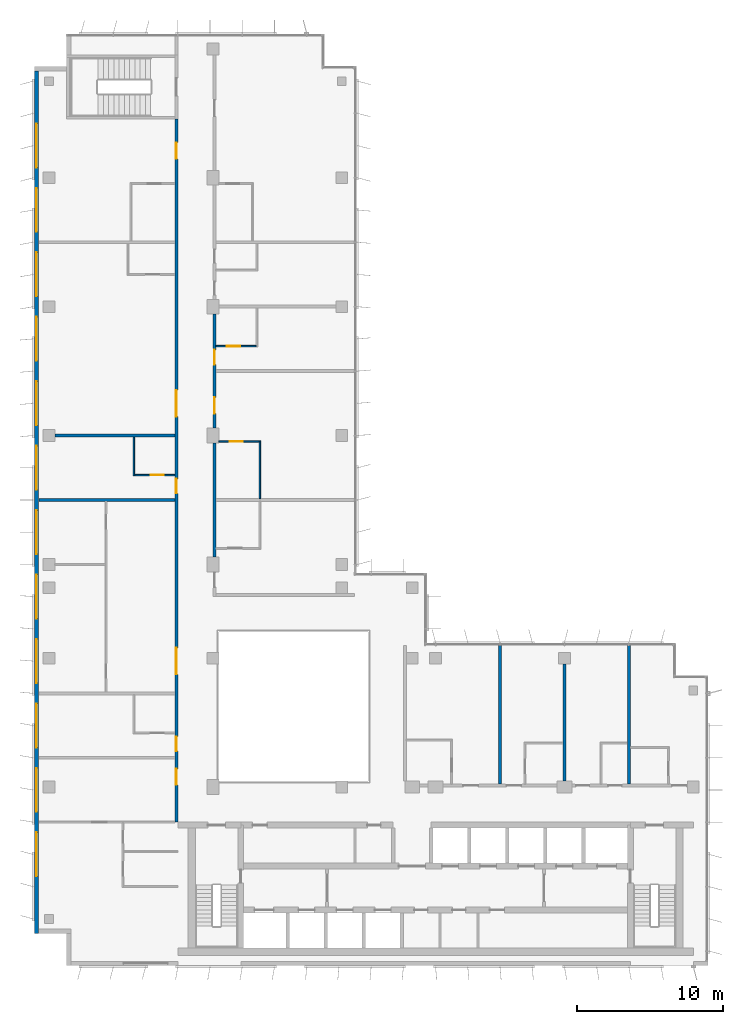
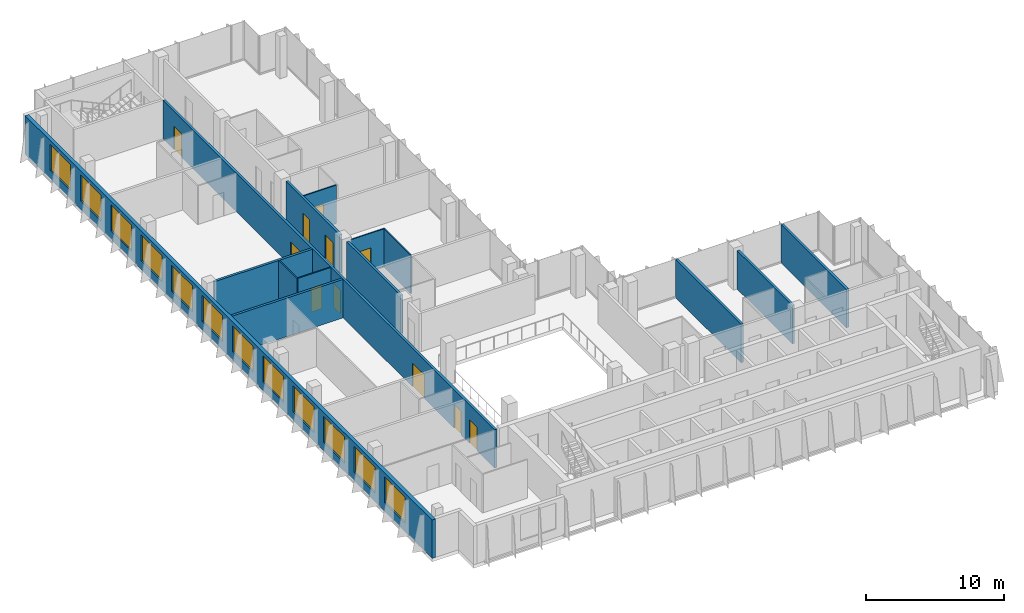
# One storey, part 11 of 15: 14 walls, 12 windows, 11 doors, 23 openings.
"""IFC4 building model written with IfcOpenShell, lengths in metres."""

from ifc_helpers import new_model, si_unit, direction, frame, frame_2d, origin, place, context, subcontext, project, spatial, rectangle, extrude, material, layer, layer_set, type_object, element, fill, save


model = new_model("IFC4")

# Units and contexts
model_context = context("Model", 3, precision=1e-05, world=origin(), true_north=direction((0.0, 1.0)))
body_context = subcontext(model_context, "Body", "Model", "MODEL_VIEW")
ifc_project = project(units=[si_unit("LENGTHUNIT", "METRE"), si_unit("AREAUNIT", "SQUARE_METRE"), si_unit("VOLUMEUNIT", "CUBIC_METRE"), si_unit("PLANEANGLEUNIT", "RADIAN"), si_unit("MASSUNIT", "GRAM", prefix="KILO")], contexts=[model_context])

# Site, building, storey
site_placement = place(None, origin())
site = spatial("IfcSite", under=ifc_project, at=site_placement, CompositionType="ELEMENT")
building_placement = place(site_placement, origin())
building = spatial("IfcBuilding", under=site, at=building_placement, Name="Kemantara Hotel Tower", CompositionType="ELEMENT")
storey_placement = place(building_placement, frame((0.0, 0.0, 279.60009765625)))
storey = spatial("IfcBuildingStorey", under=building, at=storey_placement, Name="L70", CompositionType="ELEMENT", Elevation=279.60009765625)

# Wall, openings, windows
ifc_material_1 = material(Name="Bronze anodised aluminium cladding on insulated steel stud wall", Category="steel")
ifc_layer_1 = layer(ifc_material_1, 0.300048828125)
ifc_layer_set_1 = layer_set([ifc_layer_1], Name="Bronze anodised aluminium cladding on insulated steel stud wall")
wall_type_1 = type_object("IfcWallType", Name="BRONZE METAL-CLAD EXTERNAL WALL 300", PredefinedType="STANDARD", material=ifc_layer_set_1)
wall_1_placement = place(storey_placement, frame((0.14990234375, 61.10009765625, 0.0), z_axis=(0.0, 0.0, 1.0), x_axis=(0.0, -1.0, 0.0)))
wall_1 = element("IfcWall", 1, at=wall_1_placement, inside=storey, type_object=wall_type_1, Name="EXTERNAL WALL L70 T4-R05", PredefinedType="STANDARD", context=body_context, shape_type="SweptSolid", body=[
    extrude(rectangle(XDim=58.900146484375, YDim=0.300048828125, at=frame_2d((29.4501953125, 0.0))), origin(), (0.0, 0.0, 1.0), 3.39990234375),
])
opening_1_placement = place(wall_1_placement, frame((3.60009765625, 0.0, 0.75)))
opening_1 = element("IfcOpeningElement", 2, at=opening_1_placement, cuts=wall_1, Name="Opening W1", PredefinedType="OPENING", context=body_context, shape_type="SweptSolid", body=[
    extrude(rectangle(XDim=3.0, YDim=2.300048828125, at=frame_2d((1.5, 1.14990234375))), frame((0.0, 0.159912109375, 0.0), z_axis=(0.0, -1.0, 0.0), x_axis=(1.0, 0.0, 0.0)), (0.0, 0.0, 1.0), 0.320068359375),
])
opening_2_placement = place(wall_1_placement, frame((8.0, 0.0, 0.75)))
opening_2 = element("IfcOpeningElement", 3, at=opening_2_placement, cuts=wall_1, Name="Opening W1", PredefinedType="OPENING", context=body_context, shape_type="SweptSolid", body=[
    extrude(rectangle(XDim=3.0, YDim=2.300048828125, at=frame_2d((1.5, 1.14990234375))), frame((0.0, 0.159912109375, 0.0), z_axis=(0.0, -1.0, 0.0), x_axis=(1.0, 0.0, 0.0)), (0.0, 0.0, 1.0), 0.320068359375),
])
opening_3_placement = place(wall_1_placement, frame((12.39990234375, 0.0, 0.75)))
opening_3 = element("IfcOpeningElement", 4, at=opening_3_placement, cuts=wall_1, Name="Opening W1", PredefinedType="OPENING", context=body_context, shape_type="SweptSolid", body=[
    extrude(rectangle(XDim=3.0, YDim=2.300048828125, at=frame_2d((1.5, 1.14990234375))), frame((0.0, 0.159912109375, 0.0), z_axis=(0.0, -1.0, 0.0), x_axis=(1.0, 0.0, 0.0)), (0.0, 0.0, 1.0), 0.320068359375),
])
opening_4_placement = place(wall_1_placement, frame((16.800048828125, 0.0, 0.75)))
opening_4 = element("IfcOpeningElement", 5, at=opening_4_placement, cuts=wall_1, Name="Opening W1", PredefinedType="OPENING", context=body_context, shape_type="SweptSolid", body=[
    extrude(rectangle(XDim=3.0, YDim=2.300048828125, at=frame_2d((1.5, 1.14990234375))), frame((0.0, 0.159912109375, 0.0), z_axis=(0.0, -1.0, 0.0), x_axis=(1.0, 0.0, 0.0)), (0.0, 0.0, 1.0), 0.320068359375),
])
opening_5_placement = place(wall_1_placement, frame((21.199951171875, 0.0, 0.75)))
opening_5 = element("IfcOpeningElement", 6, at=opening_5_placement, cuts=wall_1, Name="Opening W1", PredefinedType="OPENING", context=body_context, shape_type="SweptSolid", body=[
    extrude(rectangle(XDim=3.0, YDim=2.300048828125, at=frame_2d((1.5, 1.14990234375))), frame((0.0, 0.159912109375, 0.0), z_axis=(0.0, -1.0, 0.0), x_axis=(1.0, 0.0, 0.0)), (0.0, 0.0, 1.0), 0.320068359375),
])
opening_6_placement = place(wall_1_placement, frame((25.60009765625, 0.0, 0.75)))
opening_6 = element("IfcOpeningElement", 7, at=opening_6_placement, cuts=wall_1, Name="Opening W1", PredefinedType="OPENING", context=body_context, shape_type="SweptSolid", body=[
    extrude(rectangle(XDim=3.0, YDim=2.300048828125, at=frame_2d((1.5, 1.14990234375))), frame((0.0, 0.159912109375, 0.0), z_axis=(0.0, -1.0, 0.0), x_axis=(1.0, 0.0, 0.0)), (0.0, 0.0, 1.0), 0.320068359375),
])
opening_7_placement = place(wall_1_placement, frame((30.0, 0.0, 0.75)))
opening_7 = element("IfcOpeningElement", 8, at=opening_7_placement, cuts=wall_1, Name="Opening W1", PredefinedType="OPENING", context=body_context, shape_type="SweptSolid", body=[
    extrude(rectangle(XDim=3.0, YDim=2.300048828125, at=frame_2d((1.5, 1.14990234375))), frame((0.0, 0.159912109375, 0.0), z_axis=(0.0, -1.0, 0.0), x_axis=(1.0, 0.0, 0.0)), (0.0, 0.0, 1.0), 0.320068359375),
])
opening_8_placement = place(wall_1_placement, frame((34.39990234375, 0.0, 0.75)))
opening_8 = element("IfcOpeningElement", 9, at=opening_8_placement, cuts=wall_1, Name="Opening W1", PredefinedType="OPENING", context=body_context, shape_type="SweptSolid", body=[
    extrude(rectangle(XDim=3.0, YDim=2.300048828125, at=frame_2d((1.5, 1.14990234375))), frame((0.0, 0.159912109375, 0.0), z_axis=(0.0, -1.0, 0.0), x_axis=(1.0, 0.0, 0.0)), (0.0, 0.0, 1.0), 0.320068359375),
])
opening_9_placement = place(wall_1_placement, frame((38.800048828125, 0.0, 0.75)))
opening_9 = element("IfcOpeningElement", 10, at=opening_9_placement, cuts=wall_1, Name="Opening W1", PredefinedType="OPENING", context=body_context, shape_type="SweptSolid", body=[
    extrude(rectangle(XDim=3.0, YDim=2.300048828125, at=frame_2d((1.5, 1.14990234375))), frame((0.0, 0.159912109375, 0.0), z_axis=(0.0, -1.0, 0.0), x_axis=(1.0, 0.0, 0.0)), (0.0, 0.0, 1.0), 0.320068359375),
])
opening_10_placement = place(wall_1_placement, frame((43.199951171875, 0.0, 0.75)))
opening_10 = element("IfcOpeningElement", 11, at=opening_10_placement, cuts=wall_1, Name="Opening W1", PredefinedType="OPENING", context=body_context, shape_type="SweptSolid", body=[
    extrude(rectangle(XDim=3.0, YDim=2.300048828125, at=frame_2d((1.5, 1.14990234375))), frame((0.0, 0.159912109375, 0.0), z_axis=(0.0, -1.0, 0.0), x_axis=(1.0, 0.0, 0.0)), (0.0, 0.0, 1.0), 0.320068359375),
])
opening_11_placement = place(wall_1_placement, frame((47.60009765625, 0.0, 0.75)))
opening_11 = element("IfcOpeningElement", 12, at=opening_11_placement, cuts=wall_1, Name="Opening W1", PredefinedType="OPENING", context=body_context, shape_type="SweptSolid", body=[
    extrude(rectangle(XDim=3.0, YDim=2.300048828125, at=frame_2d((1.5, 1.14990234375))), frame((0.0, 0.159912109375, 0.0), z_axis=(0.0, -1.0, 0.0), x_axis=(1.0, 0.0, 0.0)), (0.0, 0.0, 1.0), 0.320068359375),
])
opening_12_placement = place(wall_1_placement, frame((52.0, 0.0, 0.75)))
opening_12 = element("IfcOpeningElement", 13, at=opening_12_placement, cuts=wall_1, Name="Opening W1", PredefinedType="OPENING", context=body_context, shape_type="SweptSolid", body=[
    extrude(rectangle(XDim=3.0, YDim=2.300048828125, at=frame_2d((1.5, 1.14990234375))), frame((0.0, 0.159912109375, 0.0), z_axis=(0.0, -1.0, 0.0), x_axis=(1.0, 0.0, 0.0)), (0.0, 0.0, 1.0), 0.320068359375),
])
ifc_material_2 = material(Name="Low-E tinted double insulated glass in bronze anodised aluminium frame", Category="aluminium")
window_type = type_object("IfcWindowType", Name="CHICAGO WINDOW, TRIPLE PANEL 3000x2300", PartitioningType="TRIPLE_PANEL_VERTICAL", PredefinedType="WINDOW", material=ifc_material_2)
window_1_placement = place(opening_1_placement, origin())
window_1 = element("IfcWindow", 14, at=window_1_placement, inside=storey, type_object=window_type, Name="CHICAGO WINDOW L70 T4-R05-54", OverallHeight=2.300048828125, OverallWidth=3.0, PartitioningType="SINGLE_PANEL", PredefinedType="WINDOW", context=body_context, shape_type="SweptSolid", body=[
    extrude(rectangle(XDim=3.0, YDim=2.300048828125, at=frame_2d((1.5, 1.14990234375))), frame((0.0, 0.030029296875, 0.0), z_axis=(0.0, -1.0, 0.0), x_axis=(1.0, 0.0, 0.0)), (0.0, 0.0, 1.0), 0.06005859375),
])
fill(opening_1, window_1)
window_2_placement = place(opening_2_placement, origin())
window_2 = element("IfcWindow", 15, at=window_2_placement, inside=storey, type_object=window_type, Name="CHICAGO WINDOW L70 T4-R05-98", OverallHeight=2.300048828125, OverallWidth=3.0, PartitioningType="SINGLE_PANEL", PredefinedType="WINDOW", context=body_context, shape_type="SweptSolid", body=[
    extrude(rectangle(XDim=3.0, YDim=2.300048828125, at=frame_2d((1.5, 1.14990234375))), frame((0.0, 0.030029296875, 0.0), z_axis=(0.0, -1.0, 0.0), x_axis=(1.0, 0.0, 0.0)), (0.0, 0.0, 1.0), 0.06005859375),
])
fill(opening_2, window_2)
window_3_placement = place(opening_3_placement, origin())
window_3 = element("IfcWindow", 16, at=window_3_placement, inside=storey, type_object=window_type, Name="CHICAGO WINDOW L70 T4-R05-142", OverallHeight=2.300048828125, OverallWidth=3.0, PartitioningType="SINGLE_PANEL", PredefinedType="WINDOW", context=body_context, shape_type="SweptSolid", body=[
    extrude(rectangle(XDim=3.0, YDim=2.300048828125, at=frame_2d((1.5, 1.14990234375))), frame((0.0, 0.030029296875, 0.0), z_axis=(0.0, -1.0, 0.0), x_axis=(1.0, 0.0, 0.0)), (0.0, 0.0, 1.0), 0.06005859375),
])
fill(opening_3, window_3)
window_4_placement = place(opening_4_placement, origin())
window_4 = element("IfcWindow", 17, at=window_4_placement, inside=storey, type_object=window_type, Name="CHICAGO WINDOW L70 T4-R05-186", OverallHeight=2.300048828125, OverallWidth=3.0, PartitioningType="SINGLE_PANEL", PredefinedType="WINDOW", context=body_context, shape_type="SweptSolid", body=[
    extrude(rectangle(XDim=3.0, YDim=2.300048828125, at=frame_2d((1.5, 1.14990234375))), frame((0.0, 0.030029296875, 0.0), z_axis=(0.0, -1.0, 0.0), x_axis=(1.0, 0.0, 0.0)), (0.0, 0.0, 1.0), 0.06005859375),
])
fill(opening_4, window_4)
window_5_placement = place(opening_5_placement, origin())
window_5 = element("IfcWindow", 18, at=window_5_placement, inside=storey, type_object=window_type, Name="CHICAGO WINDOW L70 T4-R05-230", OverallHeight=2.300048828125, OverallWidth=3.0, PartitioningType="SINGLE_PANEL", PredefinedType="WINDOW", context=body_context, shape_type="SweptSolid", body=[
    extrude(rectangle(XDim=3.0, YDim=2.300048828125, at=frame_2d((1.5, 1.14990234375))), frame((0.0, 0.030029296875, 0.0), z_axis=(0.0, -1.0, 0.0), x_axis=(1.0, 0.0, 0.0)), (0.0, 0.0, 1.0), 0.06005859375),
])
fill(opening_5, window_5)
window_6_placement = place(opening_6_placement, origin())
window_6 = element("IfcWindow", 19, at=window_6_placement, inside=storey, type_object=window_type, Name="CHICAGO WINDOW L70 T4-R05-274", OverallHeight=2.300048828125, OverallWidth=3.0, PartitioningType="SINGLE_PANEL", PredefinedType="WINDOW", context=body_context, shape_type="SweptSolid", body=[
    extrude(rectangle(XDim=3.0, YDim=2.300048828125, at=frame_2d((1.5, 1.14990234375))), frame((0.0, 0.030029296875, 0.0), z_axis=(0.0, -1.0, 0.0), x_axis=(1.0, 0.0, 0.0)), (0.0, 0.0, 1.0), 0.06005859375),
])
fill(opening_6, window_6)
window_7_placement = place(opening_7_placement, origin())
window_7 = element("IfcWindow", 20, at=window_7_placement, inside=storey, type_object=window_type, Name="CHICAGO WINDOW L70 T4-R05-318", OverallHeight=2.300048828125, OverallWidth=3.0, PartitioningType="SINGLE_PANEL", PredefinedType="WINDOW", context=body_context, shape_type="SweptSolid", body=[
    extrude(rectangle(XDim=3.0, YDim=2.300048828125, at=frame_2d((1.5, 1.14990234375))), frame((0.0, 0.030029296875, 0.0), z_axis=(0.0, -1.0, 0.0), x_axis=(1.0, 0.0, 0.0)), (0.0, 0.0, 1.0), 0.06005859375),
])
fill(opening_7, window_7)
window_8_placement = place(opening_8_placement, origin())
window_8 = element("IfcWindow", 21, at=window_8_placement, inside=storey, type_object=window_type, Name="CHICAGO WINDOW L70 T4-R05-362", OverallHeight=2.300048828125, OverallWidth=3.0, PartitioningType="SINGLE_PANEL", PredefinedType="WINDOW", context=body_context, shape_type="SweptSolid", body=[
    extrude(rectangle(XDim=3.0, YDim=2.300048828125, at=frame_2d((1.5, 1.14990234375))), frame((0.0, 0.030029296875, 0.0), z_axis=(0.0, -1.0, 0.0), x_axis=(1.0, 0.0, 0.0)), (0.0, 0.0, 1.0), 0.06005859375),
])
fill(opening_8, window_8)
window_9_placement = place(opening_9_placement, origin())
window_9 = element("IfcWindow", 22, at=window_9_placement, inside=storey, type_object=window_type, Name="CHICAGO WINDOW L70 T4-R05-406", OverallHeight=2.300048828125, OverallWidth=3.0, PartitioningType="SINGLE_PANEL", PredefinedType="WINDOW", context=body_context, shape_type="SweptSolid", body=[
    extrude(rectangle(XDim=3.0, YDim=2.300048828125, at=frame_2d((1.5, 1.14990234375))), frame((0.0, 0.030029296875, 0.0), z_axis=(0.0, -1.0, 0.0), x_axis=(1.0, 0.0, 0.0)), (0.0, 0.0, 1.0), 0.06005859375),
])
fill(opening_9, window_9)
window_10_placement = place(opening_10_placement, origin())
window_10 = element("IfcWindow", 23, at=window_10_placement, inside=storey, type_object=window_type, Name="CHICAGO WINDOW L70 T4-R05-450", OverallHeight=2.300048828125, OverallWidth=3.0, PartitioningType="SINGLE_PANEL", PredefinedType="WINDOW", context=body_context, shape_type="SweptSolid", body=[
    extrude(rectangle(XDim=3.0, YDim=2.300048828125, at=frame_2d((1.5, 1.14990234375))), frame((0.0, 0.030029296875, 0.0), z_axis=(0.0, -1.0, 0.0), x_axis=(1.0, 0.0, 0.0)), (0.0, 0.0, 1.0), 0.06005859375),
])
fill(opening_10, window_10)
window_11_placement = place(opening_11_placement, origin())
window_11 = element("IfcWindow", 24, at=window_11_placement, inside=storey, type_object=window_type, Name="CHICAGO WINDOW L70 T4-R05-494", OverallHeight=2.300048828125, OverallWidth=3.0, PartitioningType="SINGLE_PANEL", PredefinedType="WINDOW", context=body_context, shape_type="SweptSolid", body=[
    extrude(rectangle(XDim=3.0, YDim=2.300048828125, at=frame_2d((1.5, 1.14990234375))), frame((0.0, 0.030029296875, 0.0), z_axis=(0.0, -1.0, 0.0), x_axis=(1.0, 0.0, 0.0)), (0.0, 0.0, 1.0), 0.06005859375),
])
fill(opening_11, window_11)
window_12_placement = place(opening_12_placement, origin())
window_12 = element("IfcWindow", 25, at=window_12_placement, inside=storey, type_object=window_type, Name="CHICAGO WINDOW L70 T4-R05-538", OverallHeight=2.300048828125, OverallWidth=3.0, PartitioningType="SINGLE_PANEL", PredefinedType="WINDOW", context=body_context, shape_type="SweptSolid", body=[
    extrude(rectangle(XDim=3.0, YDim=2.300048828125, at=frame_2d((1.5, 1.14990234375))), frame((0.0, 0.030029296875, 0.0), z_axis=(0.0, -1.0, 0.0), x_axis=(1.0, 0.0, 0.0)), (0.0, 0.0, 1.0), 0.06005859375),
])
fill(opening_12, window_12)

# Wall, openings, doors
ifc_material_3 = material(Name="Gypsum board partition, steel studs and mineral wool, 200 mm", Category="steel")
ifc_layer_2 = layer(ifc_material_3, 0.199951171875)
ifc_layer_set_2 = layer_set([ifc_layer_2], Name="Gypsum board partition, steel studs and mineral wool, 200 mm")
wall_type_2 = type_object("IfcWallType", Name="CORRIDOR WALL 200", PredefinedType="PARTITIONING", material=ifc_layer_set_2)
wall_2_placement = place(storey_placement, frame((9.699951171875, 9.800048828125, 0.0), z_axis=(0.0, 0.0, 1.0), x_axis=(0.0, 1.0, 0.0)))
wall_2 = element("IfcWall", 26, at=wall_2_placement, inside=storey, type_object=wall_type_2, Name="CORRIDOR WALL 200 008", PredefinedType="PARTITIONING", context=body_context, shape_type="SweptSolid", body=[
    extrude(rectangle(XDim=48.0, YDim=0.199951171875, at=frame_2d((24.0, 0.0))), origin(), (0.0, 0.0, 1.0), 3.39990234375),
])
opening_13_placement = place(wall_2_placement, frame((2.550048828125, 0.0, 0.0)))
opening_13 = element("IfcOpeningElement", 27, at=opening_13_placement, cuts=wall_2, Name="Opening F34-009", PredefinedType="OPENING", context=body_context, shape_type="SweptSolid", body=[
    extrude(rectangle(XDim=1.10009765625, YDim=2.10009765625, at=frame_2d((0.550048828125, 1.050048828125))), frame((0.0, 0.10986328125, 0.0), z_axis=(0.0, -1.0, 0.0), x_axis=(1.0, 0.0, 0.0)), (0.0, 0.0, 1.0), 0.219970703125),
])
opening_14_placement = place(wall_2_placement, frame((4.85009765625, 0.0, 0.0)))
opening_14 = element("IfcOpeningElement", 28, at=opening_14_placement, cuts=wall_2, Name="Opening F34-013", PredefinedType="OPENING", context=body_context, shape_type="SweptSolid", body=[
    extrude(rectangle(XDim=1.0, YDim=2.10009765625, at=frame_2d((0.5, 1.050048828125))), frame((0.0, 0.10986328125, 0.0), z_axis=(0.0, -1.0, 0.0), x_axis=(1.0, 0.0, 0.0)), (0.0, 0.0, 1.0), 0.219970703125),
])
opening_15_placement = place(wall_2_placement, frame((10.10009765625, 0.0, 0.0)))
opening_15 = element("IfcOpeningElement", 29, at=opening_15_placement, cuts=wall_2, Name="Opening F34-015", PredefinedType="OPENING", context=body_context, shape_type="SweptSolid", body=[
    extrude(rectangle(XDim=1.800048828125, YDim=2.10009765625, at=frame_2d((0.89990234375, 1.050048828125))), frame((0.0, 0.10986328125, 0.0), z_axis=(0.0, -1.0, 0.0), x_axis=(1.0, 0.0, 0.0)), (0.0, 0.0, 1.0), 0.219970703125),
])
opening_16_placement = place(wall_2_placement, frame((22.449951171875, 0.0, 0.0)))
opening_16 = element("IfcOpeningElement", 30, at=opening_16_placement, cuts=wall_2, Name="Opening F34-018", PredefinedType="OPENING", context=body_context, shape_type="SweptSolid", body=[
    extrude(rectangle(XDim=1.0, YDim=2.10009765625, at=frame_2d((0.5, 1.050048828125))), frame((0.0, 0.10986328125, 0.0), z_axis=(0.0, -1.0, 0.0), x_axis=(1.0, 0.0, 0.0)), (0.0, 0.0, 1.0), 0.219970703125),
])
opening_17_placement = place(wall_2_placement, frame((27.699951171875, 0.0, 0.0)))
opening_17 = element("IfcOpeningElement", 31, at=opening_17_placement, cuts=wall_2, Name="Opening F34-020", PredefinedType="OPENING", context=body_context, shape_type="SweptSolid", body=[
    extrude(rectangle(XDim=1.800048828125, YDim=2.10009765625, at=frame_2d((0.89990234375, 1.050048828125))), frame((0.0, 0.10986328125, 0.0), z_axis=(0.0, -1.0, 0.0), x_axis=(1.0, 0.0, 0.0)), (0.0, 0.0, 1.0), 0.219970703125),
])
opening_18_placement = place(wall_2_placement, frame((45.300048828125, 0.0, 0.0)))
opening_18 = element("IfcOpeningElement", 32, at=opening_18_placement, cuts=wall_2, Name="Opening F34-022", PredefinedType="OPENING", context=body_context, shape_type="SweptSolid", body=[
    extrude(rectangle(XDim=1.10009765625, YDim=2.10009765625, at=frame_2d((0.550048828125, 1.050048828125))), frame((0.0, 0.10986328125, 0.0), z_axis=(0.0, -1.0, 0.0), x_axis=(1.0, 0.0, 0.0)), (0.0, 0.0, 1.0), 0.219970703125),
])
ifc_material_4 = material(Name="Hardwood veneer door leaf with steel frame", Category="steel")
door_type_1 = type_object("IfcDoorType", Name="AMENITY ROOM DOOR 1800 X 2100 FD30S", OperationType="NOTDEFINED", PredefinedType="DOOR", material=ifc_material_4)
door_1_placement = place(opening_15_placement, origin())
door_1 = element("IfcDoor", 33, at=door_1_placement, inside=storey, type_object=door_type_1, Name="AMENITY ROOM DOOR F34-015", OperationType="DOUBLE_DOOR_SINGLE_SWING", OverallHeight=2.10009765625, OverallWidth=1.800048828125, PredefinedType="DOOR", context=body_context, shape_type="SweptSolid", body=[
    extrude(rectangle(XDim=1.800048828125, YDim=2.10009765625, at=frame_2d((0.89990234375, 1.050048828125))), frame((0.0, 0.02490234375, 0.0), z_axis=(0.0, -1.0, 0.0), x_axis=(1.0, 0.0, 0.0)), (0.0, 0.0, 1.0), 0.050048828125),
])
fill(opening_15, door_1)
door_type_2 = type_object("IfcDoorType", Name="GUEST ROOM DOOR 1000 X 2100 FD30S", OperationType="NOTDEFINED", PredefinedType="DOOR", material=ifc_material_4)
door_2_placement = place(opening_14_placement, origin())
door_2 = element("IfcDoor", 34, at=door_2_placement, inside=storey, type_object=door_type_2, Name="GUEST ROOM DOOR F34-013", OperationType="SINGLE_SWING_LEFT", OverallHeight=2.10009765625, OverallWidth=1.0, PredefinedType="DOOR", context=body_context, shape_type="SweptSolid", body=[
    extrude(rectangle(XDim=1.0, YDim=2.10009765625, at=frame_2d((0.5, 1.050048828125))), frame((0.0, 0.02490234375, 0.0), z_axis=(0.0, -1.0, 0.0), x_axis=(1.0, 0.0, 0.0)), (0.0, 0.0, 1.0), 0.050048828125),
])
fill(opening_14, door_2)
door_3_placement = place(opening_16_placement, origin())
door_3 = element("IfcDoor", 35, at=door_3_placement, inside=storey, type_object=door_type_2, Name="GUEST ROOM DOOR F34-018", OperationType="SINGLE_SWING_LEFT", OverallHeight=2.10009765625, OverallWidth=1.0, PredefinedType="DOOR", context=body_context, shape_type="SweptSolid", body=[
    extrude(rectangle(XDim=1.0, YDim=2.10009765625, at=frame_2d((0.5, 1.050048828125))), frame((0.0, 0.02490234375, 0.0), z_axis=(0.0, -1.0, 0.0), x_axis=(1.0, 0.0, 0.0)), (0.0, 0.0, 1.0), 0.050048828125),
])
fill(opening_16, door_3)
door_type_3 = type_object("IfcDoorType", Name="GUEST ROOM DOOR 1800 X 2100 FD30S", OperationType="NOTDEFINED", PredefinedType="DOOR", material=ifc_material_4)
door_4_placement = place(opening_17_placement, origin())
door_4 = element("IfcDoor", 36, at=door_4_placement, inside=storey, type_object=door_type_3, Name="GUEST ROOM DOOR F34-020", OperationType="DOUBLE_DOOR_SINGLE_SWING", OverallHeight=2.10009765625, OverallWidth=1.800048828125, PredefinedType="DOOR", context=body_context, shape_type="SweptSolid", body=[
    extrude(rectangle(XDim=1.800048828125, YDim=2.10009765625, at=frame_2d((0.89990234375, 1.050048828125))), frame((0.0, 0.02490234375, 0.0), z_axis=(0.0, -1.0, 0.0), x_axis=(1.0, 0.0, 0.0)), (0.0, 0.0, 1.0), 0.050048828125),
])
fill(opening_17, door_4)
door_type_4 = type_object("IfcDoorType", Name="SUITE ENTRANCE DOOR 1100 X 2100 FD30S", OperationType="NOTDEFINED", PredefinedType="DOOR", material=ifc_material_4)
door_5_placement = place(opening_13_placement, origin())
door_5 = element("IfcDoor", 37, at=door_5_placement, inside=storey, type_object=door_type_4, Name="SUITE ENTRANCE DOOR F34-009", OperationType="SINGLE_SWING_RIGHT", OverallHeight=2.10009765625, OverallWidth=1.10009765625, PredefinedType="DOOR", context=body_context, shape_type="SweptSolid", body=[
    extrude(rectangle(XDim=1.10009765625, YDim=2.10009765625, at=frame_2d((0.550048828125, 1.050048828125))), frame((0.0, 0.02490234375, 0.0), z_axis=(0.0, -1.0, 0.0), x_axis=(1.0, 0.0, 0.0)), (0.0, 0.0, 1.0), 0.050048828125),
])
fill(opening_13, door_5)
door_6_placement = place(opening_18_placement, origin())
door_6 = element("IfcDoor", 38, at=door_6_placement, inside=storey, type_object=door_type_4, Name="SUITE ENTRANCE DOOR F34-022", OperationType="SINGLE_SWING_RIGHT", OverallHeight=2.10009765625, OverallWidth=1.10009765625, PredefinedType="DOOR", context=body_context, shape_type="SweptSolid", body=[
    extrude(rectangle(XDim=1.10009765625, YDim=2.10009765625, at=frame_2d((0.550048828125, 1.050048828125))), frame((0.0, 0.02490234375, 0.0), z_axis=(0.0, -1.0, 0.0), x_axis=(1.0, 0.0, 0.0)), (0.0, 0.0, 1.0), 0.050048828125),
])
fill(opening_18, door_6)

# Wall
wall_3_placement = place(storey_placement, frame((12.300048828125, 27.900146484375, 0.0), z_axis=(0.0, 0.0, 1.0), x_axis=(0.0, 1.0, 0.0)))
element("IfcWall", 39, at=wall_3_placement, inside=storey, type_object=wall_type_2, Name="CORRIDOR WALL 200 018", PredefinedType="PARTITIONING", context=body_context, shape_type="SweptSolid", body=[
    extrude(rectangle(XDim=7.7998046875, YDim=0.199951171875, at=frame_2d((3.89990234375, 0.0))), origin(), (0.0, 0.0, 1.0), 3.39990234375),
])

# Wall, openings, doors
wall_4_placement = place(storey_placement, frame((12.300048828125, 44.5, 0.0), z_axis=(0.0, 0.0, 1.0), x_axis=(0.0, -1.0, 0.0)))
wall_4 = element("IfcWall", 40, at=wall_4_placement, inside=storey, type_object=wall_type_2, Name="CORRIDOR WALL 200 019", PredefinedType="PARTITIONING", context=body_context, shape_type="SweptSolid", body=[
    extrude(rectangle(XDim=7.7998046875, YDim=0.199951171875, at=frame_2d((3.89990234375, 0.0))), origin(), (0.0, 0.0, 1.0), 3.39990234375),
])
opening_19_placement = place(wall_4_placement, frame((5.699951171875, 0.0, 0.0)))
opening_19 = element("IfcOpeningElement", 41, at=opening_19_placement, cuts=wall_4, Name="Opening F34-026", PredefinedType="OPENING", context=body_context, shape_type="SweptSolid", body=[
    extrude(rectangle(XDim=1.10009765625, YDim=2.10009765625, at=frame_2d((0.550048828125, 1.050048828125))), frame((0.0, 0.10986328125, 0.0), z_axis=(0.0, -1.0, 0.0), x_axis=(1.0, 0.0, 0.0)), (0.0, 0.0, 1.0), 0.219970703125),
])
opening_20_placement = place(wall_4_placement, frame((2.449951171875, 0.0, 0.0)))
opening_20 = element("IfcOpeningElement", 42, at=opening_20_placement, cuts=wall_4, Name="Opening F34-028", PredefinedType="OPENING", context=body_context, shape_type="SweptSolid", body=[
    extrude(rectangle(XDim=1.0, YDim=2.10009765625, at=frame_2d((0.5, 1.050048828125))), frame((0.0, 0.10986328125, 0.0), z_axis=(0.0, -1.0, 0.0), x_axis=(1.0, 0.0, 0.0)), (0.0, 0.0, 1.0), 0.219970703125),
])
door_7_placement = place(opening_20_placement, origin())
door_7 = element("IfcDoor", 43, at=door_7_placement, inside=storey, type_object=door_type_2, Name="GUEST ROOM DOOR F34-028", OperationType="SINGLE_SWING_RIGHT", OverallHeight=2.10009765625, OverallWidth=1.0, PredefinedType="DOOR", context=body_context, shape_type="SweptSolid", body=[
    extrude(rectangle(XDim=1.0, YDim=2.10009765625, at=frame_2d((0.5, 1.050048828125))), frame((0.0, 0.02490234375, 0.0), z_axis=(0.0, -1.0, 0.0), x_axis=(1.0, 0.0, 0.0)), (0.0, 0.0, 1.0), 0.050048828125),
])
fill(opening_20, door_7)
door_8_placement = place(opening_19_placement, origin())
door_8 = element("IfcDoor", 44, at=door_8_placement, inside=storey, type_object=door_type_4, Name="SUITE ENTRANCE DOOR F34-026", OperationType="SINGLE_SWING_LEFT", OverallHeight=2.10009765625, OverallWidth=1.10009765625, PredefinedType="DOOR", context=body_context, shape_type="SweptSolid", body=[
    extrude(rectangle(XDim=1.10009765625, YDim=2.10009765625, at=frame_2d((0.550048828125, 1.050048828125))), frame((0.0, 0.02490234375, 0.0), z_axis=(0.0, -1.0, 0.0), x_axis=(1.0, 0.0, 0.0)), (0.0, 0.0, 1.0), 0.050048828125),
])
fill(opening_19, door_8)

# Walls
ifc_layer_3 = layer(ifc_material_3, 0.199951171875)
ifc_layer_set_3 = layer_set([ifc_layer_3], Name="Gypsum board partition, steel studs and mineral wool, 200 mm")
wall_type_3 = type_object("IfcWallType", Name="GUEST ROOM PARTY WALL 200", PredefinedType="PARTITIONING", material=ifc_layer_set_3)
wall_5_placement = place(storey_placement, frame((31.800048828125, 12.39990234375, 0.0), z_axis=(0.0, 0.0, 1.0), x_axis=(0.0, 1.0, 0.0)))
element("IfcWall", 45, at=wall_5_placement, inside=storey, type_object=wall_type_3, Name="GUEST ROOM PARTY WALL 200 005", PredefinedType="PARTITIONING", context=body_context, shape_type="SweptSolid", body=[
    extrude(rectangle(XDim=9.47021484375, YDim=0.199951171875, at=frame_2d((4.735107421875, 0.0))), origin(), (0.0, 0.0, 1.0), 3.39990234375),
])
wall_6_placement = place(storey_placement, frame((36.199951171875, 12.60009765625, 0.0), z_axis=(0.0, 0.0, 1.0), x_axis=(0.0, 1.0, 0.0)))
element("IfcWall", 46, at=wall_6_placement, inside=storey, type_object=wall_type_3, Name="GUEST ROOM PARTY WALL 200 006", PredefinedType="PARTITIONING", context=body_context, shape_type="SweptSolid", body=[
    extrude(rectangle(XDim=7.999755859375, YDim=0.199951171875, at=frame_2d((4.0, 0.0))), origin(), (0.0, 0.0, 1.0), 3.39990234375),
])
wall_7_placement = place(storey_placement, frame((40.60009765625, 12.39990234375, 0.0), z_axis=(0.0, 0.0, 1.0), x_axis=(0.0, 1.0, 0.0)))
element("IfcWall", 47, at=wall_7_placement, inside=storey, type_object=wall_type_3, Name="GUEST ROOM PARTY WALL 200 007", PredefinedType="PARTITIONING", context=body_context, shape_type="SweptSolid", body=[
    extrude(rectangle(XDim=9.47021484375, YDim=0.199951171875, at=frame_2d((4.735107421875, 0.0))), origin(), (0.0, 0.0, 1.0), 3.39990234375),
])
wall_8_placement = place(storey_placement, frame((0.31005859375, 31.800048828125, 0.0), z_axis=(0.0, 0.0, 1.0), x_axis=(1.0, 0.0, 0.0)))
element("IfcWall", 48, at=wall_8_placement, inside=storey, type_object=wall_type_3, Name="GUEST ROOM PARTY WALL 200 012", PredefinedType="PARTITIONING", context=body_context, shape_type="SweptSolid", body=[
    extrude(rectangle(XDim=9.2900390625, YDim=0.199951171875, at=frame_2d((4.64501953125, 0.0))), origin(), (0.0, 0.0, 1.0), 3.39990234375),
])
wall_9_placement = place(storey_placement, frame((1.400146484375, 36.199951171875, 0.0), z_axis=(0.0, 0.0, 1.0), x_axis=(1.0, 0.0, 0.0)))
element("IfcWall", 49, at=wall_9_placement, inside=storey, type_object=wall_type_3, Name="GUEST ROOM PARTY WALL 200 014", PredefinedType="PARTITIONING", context=body_context, shape_type="SweptSolid", body=[
    extrude(rectangle(XDim=8.199951171875, YDim=0.199951171875, at=frame_2d((4.10009765625, 0.0))), origin(), (0.0, 0.0, 1.0), 3.39990234375),
])
ifc_material_5 = material(Name="Gypsum board partition on steel studs, 100 mm", Category="steel")
ifc_layer_4 = layer(ifc_material_5, 0.10009765625)
ifc_layer_set_4 = layer_set([ifc_layer_4], Name="Gypsum board partition on steel studs, 100 mm")
wall_type_4 = type_object("IfcWallType", Name="ROOM PARTITION 100", PredefinedType="PARTITIONING", material=ifc_layer_set_4)
wall_10_placement = place(storey_placement, frame((6.800048828125, 33.449951171875, 0.0), z_axis=(0.0, 0.0, 1.0), x_axis=(0.0, 1.0, 0.0)))
element("IfcWall", 50, at=wall_10_placement, inside=storey, type_object=wall_type_4, Name="ROOM PARTITION 100 038", PredefinedType="PARTITIONING", context=body_context, shape_type="SweptSolid", body=[
    extrude(rectangle(XDim=2.650146484375, YDim=0.10009765625, at=frame_2d((1.3251953125, 0.0))), origin(), (0.0, 0.0, 1.0), 3.39990234375),
])

# Wall, opening, door
wall_11_placement = place(storey_placement, frame((6.85009765625, 33.5, 0.0), z_axis=(0.0, 0.0, 1.0), x_axis=(1.0, 0.0, 0.0)))
wall_11 = element("IfcWall", 51, at=wall_11_placement, inside=storey, type_object=wall_type_4, Name="ROOM PARTITION 100 042", PredefinedType="PARTITIONING", context=body_context, shape_type="SweptSolid", body=[
    extrude(rectangle(XDim=2.75, YDim=0.10009765625, at=frame_2d((1.375, 0.0))), origin(), (0.0, 0.0, 1.0), 3.39990234375),
])
opening_21_placement = place(wall_11_placement, frame((1.10009765625, 0.0, 0.0)))
opening_21 = element("IfcOpeningElement", 52, at=opening_21_placement, cuts=wall_11, Name="Opening F34-019", PredefinedType="OPENING", context=body_context, shape_type="SweptSolid", body=[
    extrude(rectangle(XDim=0.89990234375, YDim=2.10009765625, at=frame_2d((0.449951171875, 1.050048828125))), frame((0.0, 0.06005859375, 0.0), z_axis=(0.0, -1.0, 0.0), x_axis=(1.0, 0.0, 0.0)), (0.0, 0.0, 1.0), 0.1201171875),
])
door_type_5 = type_object("IfcDoorType", Name="BATHROOM DOOR 900 X 2100", OperationType="NOTDEFINED", PredefinedType="DOOR", material=ifc_material_4)
door_9_placement = place(opening_21_placement, origin())
door_9 = element("IfcDoor", 53, at=door_9_placement, inside=storey, type_object=door_type_5, Name="BATHROOM DOOR F34-019", OperationType="SINGLE_SWING_RIGHT", OverallHeight=2.10009765625, OverallWidth=0.89990234375, PredefinedType="DOOR", context=body_context, shape_type="SweptSolid", body=[
    extrude(rectangle(XDim=0.89990234375, YDim=2.10009765625, at=frame_2d((0.449951171875, 1.050048828125))), frame((0.0, 0.02490234375, 0.0), z_axis=(0.0, -1.0, 0.0), x_axis=(1.0, 0.0, 0.0)), (0.0, 0.0, 1.0), 0.050048828125),
])
fill(opening_21, door_9)

# Wall
wall_12_placement = place(storey_placement, frame((15.39990234375, 31.89990234375, 0.0), z_axis=(0.0, 0.0, 1.0), x_axis=(0.0, 1.0, 0.0)))
element("IfcWall", 54, at=wall_12_placement, inside=storey, type_object=wall_type_4, Name="ROOM PARTITION 100 049", PredefinedType="PARTITIONING", context=body_context, shape_type="SweptSolid", body=[
    extrude(rectangle(XDim=3.9501953125, YDim=0.10009765625, at=frame_2d((1.97509765625, 0.0))), origin(), (0.0, 0.0, 1.0), 3.39990234375),
])

# Wall, opening, door
wall_13_placement = place(storey_placement, frame((15.35009765625, 35.800048828125, 0.0), z_axis=(0.0, 0.0, 1.0), x_axis=(-1.0, 0.0, 0.0)))
wall_13 = element("IfcWall", 55, at=wall_13_placement, inside=storey, type_object=wall_type_4, Name="ROOM PARTITION 100 051", PredefinedType="PARTITIONING", context=body_context, shape_type="SweptSolid", body=[
    extrude(rectangle(XDim=2.75, YDim=0.10009765625, at=frame_2d((1.375, 0.0))), origin(), (0.0, 0.0, 1.0), 3.39990234375),
])
opening_22_placement = place(wall_13_placement, frame((1.10009765625, 0.0, 0.0)))
opening_22 = element("IfcOpeningElement", 56, at=opening_22_placement, cuts=wall_13, Name="Opening F34-027", PredefinedType="OPENING", context=body_context, shape_type="SweptSolid", body=[
    extrude(rectangle(XDim=0.89990234375, YDim=2.10009765625, at=frame_2d((0.449951171875, 1.050048828125))), frame((0.0, 0.06005859375, 0.0), z_axis=(0.0, -1.0, 0.0), x_axis=(1.0, 0.0, 0.0)), (0.0, 0.0, 1.0), 0.1201171875),
])
door_10_placement = place(opening_22_placement, origin())
door_10 = element("IfcDoor", 57, at=door_10_placement, inside=storey, type_object=door_type_5, Name="BATHROOM DOOR F34-027", OperationType="SINGLE_SWING_RIGHT", OverallHeight=2.10009765625, OverallWidth=0.89990234375, PredefinedType="DOOR", context=body_context, shape_type="SweptSolid", body=[
    extrude(rectangle(XDim=0.89990234375, YDim=2.10009765625, at=frame_2d((0.449951171875, 1.050048828125))), frame((0.0, 0.02490234375, 0.0), z_axis=(0.0, -1.0, 0.0), x_axis=(1.0, 0.0, 0.0)), (0.0, 0.0, 1.0), 0.050048828125),
])
fill(opening_22, door_10)

wall_14_placement = place(storey_placement, frame((12.39990234375, 42.300048828125, 0.0), z_axis=(0.0, 0.0, 1.0), x_axis=(1.0, 0.0, 0.0)))
wall_14 = element("IfcWall", 58, at=wall_14_placement, inside=storey, type_object=wall_type_4, Name="ROOM PARTITION 100 054", PredefinedType="PARTITIONING", context=body_context, shape_type="SweptSolid", body=[
    extrude(rectangle(XDim=2.75, YDim=0.10009765625, at=frame_2d((1.375, 0.0))), origin(), (0.0, 0.0, 1.0), 3.39990234375),
])
opening_23_placement = place(wall_14_placement, frame((0.75, 0.0, 0.0)))
opening_23 = element("IfcOpeningElement", 59, at=opening_23_placement, cuts=wall_14, Name="Opening F34-029", PredefinedType="OPENING", context=body_context, shape_type="SweptSolid", body=[
    extrude(rectangle(XDim=0.89990234375, YDim=2.10009765625, at=frame_2d((0.449951171875, 1.050048828125))), frame((0.0, 0.06005859375, 0.0), z_axis=(0.0, -1.0, 0.0), x_axis=(1.0, 0.0, 0.0)), (0.0, 0.0, 1.0), 0.1201171875),
])
door_11_placement = place(opening_23_placement, origin())
door_11 = element("IfcDoor", 60, at=door_11_placement, inside=storey, type_object=door_type_5, Name="BATHROOM DOOR F34-029", OperationType="SINGLE_SWING_LEFT", OverallHeight=2.10009765625, OverallWidth=0.89990234375, PredefinedType="DOOR", context=body_context, shape_type="SweptSolid", body=[
    extrude(rectangle(XDim=0.89990234375, YDim=2.10009765625, at=frame_2d((0.449951171875, 1.050048828125))), frame((0.0, 0.02490234375, 0.0), z_axis=(0.0, -1.0, 0.0), x_axis=(1.0, 0.0, 0.0)), (0.0, 0.0, 1.0), 0.050048828125),
])
fill(opening_23, door_11)

save(model, "model.ifc")
